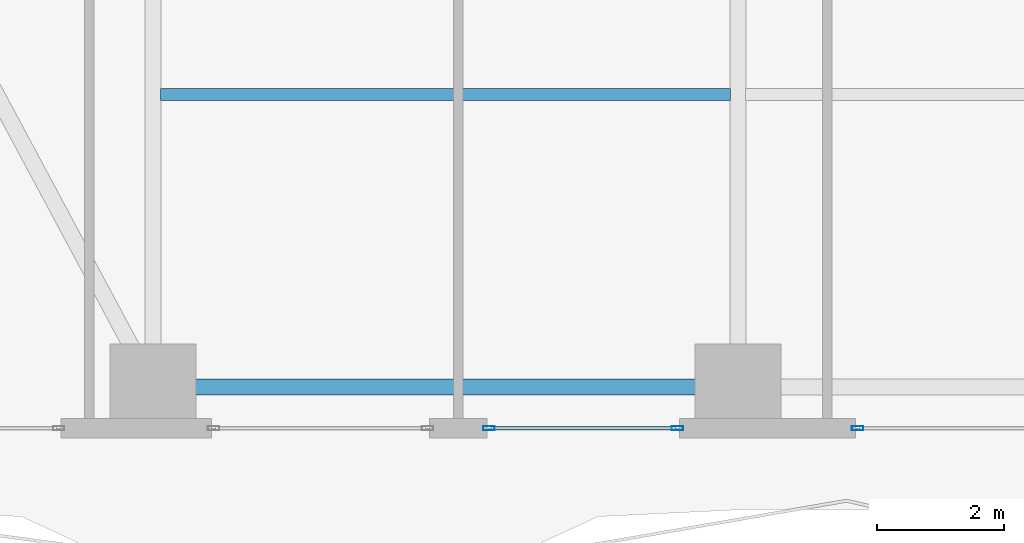
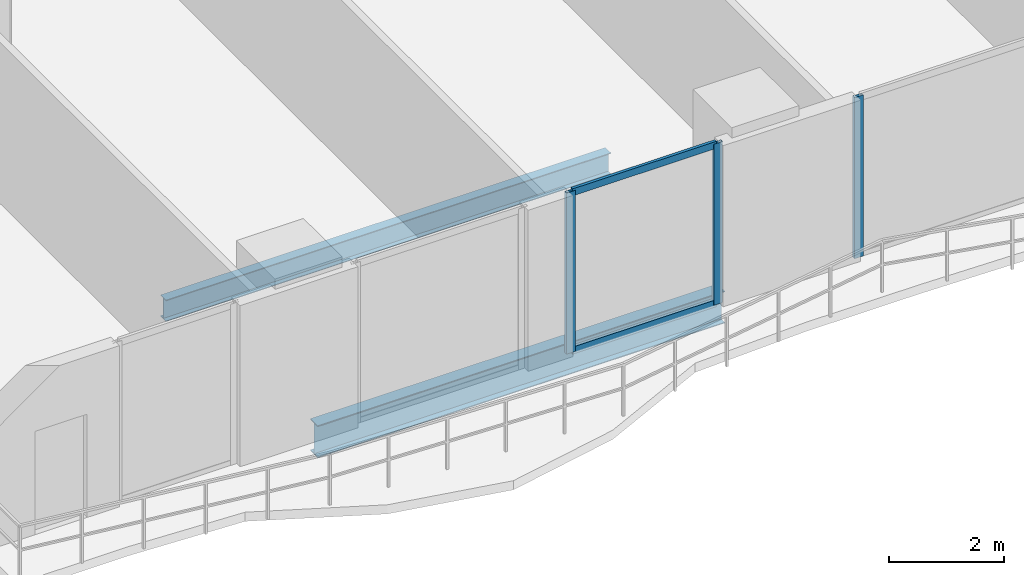
# One storey, part 4 of 29: 5 members, 2 beams, 2 elements without a shape of their own.
"""IFC4 building model written with IfcOpenShell, lengths in metres."""

from ifc_helpers import new_model, si_unit, direction, frame, origin, origin_2d, place, context, subcontext, project, spatial, hollow_rectangle, i_section, extrude, material, layer, layer_set, material_profile, profile_set, type_object, element, aggregate, save


model = new_model("IFC4")

# Units and contexts
model_context = context("Model", 3, precision=1e-05, world=origin(), true_north=direction((0.0, 1.0)))
body_context = subcontext(model_context, "Body", "Model", "MODEL_VIEW")
ifc_project = project(units=[si_unit("LENGTHUNIT", "METRE"), si_unit("AREAUNIT", "SQUARE_METRE"), si_unit("VOLUMEUNIT", "CUBIC_METRE"), si_unit("PLANEANGLEUNIT", "RADIAN"), si_unit("MASSUNIT", "GRAM", prefix="KILO")], contexts=[model_context])

# Site, building, storey
site_placement = place(None, origin())
site = spatial("IfcSite", under=ifc_project, at=site_placement, CompositionType="ELEMENT")
building_placement = place(site_placement, origin())
building = spatial("IfcBuilding", under=site, at=building_placement, Name="Zuhayl Quay Hotel", CompositionType="ELEMENT")
storey_placement = place(building_placement, frame((0.0, 0.0, 150.39990234375)))
storey = spatial("IfcBuildingStorey", under=building, at=storey_placement, Name="L38", CompositionType="ELEMENT", Elevation=150.39990234375)

# Beams
ifc_material_1 = material(Name="Steel ASTM A992 Grade 50", Category="steel")
ifc_material_profile_1 = material_profile(ifc_material_1, i_section(OverallWidth=0.25390625, OverallDepth=0.68310546875, WebThickness=0.012451171875, FlangeThickness=0.018798828125, at=origin_2d()), Name="W27X94")
ifc_profile_set_1 = profile_set([ifc_material_profile_1], Name="Steel ASTM A992 Grade 50")
beam_type_1 = type_object("IfcBeamType", Name="BM_B2_W27X94", PredefinedType="BEAM", material=ifc_profile_set_1)
beam_1_placement = place(storey_placement, frame((-13.300048828125, -14.75, -0.5615234375), z_axis=(1.0, 0.0, 0.0), x_axis=(0.0, 1.0, 0.0)))
element("IfcBeam", 1, at=beam_1_placement, inside=storey, type_object=beam_type_1, Name="L38 Floor Beam RG_L38_01", PredefinedType="BEAM", context=body_context, shape_type="SweptSolid", body=[
    extrude(i_section(OverallWidth=0.25390625, OverallDepth=0.68310546875, WebThickness=0.012451171875, FlangeThickness=0.018798828125, at=origin_2d()), origin(), (0.0, 0.0, 1.0), 8.199951171875),
])
ifc_material_profile_2 = material_profile(ifc_material_1, i_section(OverallWidth=0.18994140625, OverallDepth=0.45703125, WebThickness=0.009033203125, FlangeThickness=0.014404296875, at=origin_2d()), Name="W18X50")
ifc_profile_set_2 = profile_set([ifc_material_profile_2], Name="Steel ASTM A992 Grade 50")
beam_type_2 = type_object("IfcBeamType", Name="BM_J2_W18X50", PredefinedType="JOIST", material=ifc_profile_set_2)
beam_2_placement = place(storey_placement, frame((-13.680908203125, -10.14990234375, -0.448486328125), z_axis=(1.0, 0.0, 0.0), x_axis=(0.0, 1.0, 0.0)))
element("IfcBeam", 2, at=beam_2_placement, inside=storey, type_object=beam_type_2, Name="L38 Floor Beam FJ_L38_5_1", PredefinedType="JOIST", context=body_context, shape_type="SweptSolid", body=[
    extrude(i_section(OverallWidth=0.18994140625, OverallDepth=0.45703125, WebThickness=0.009033203125, FlangeThickness=0.014404296875, at=origin_2d()), origin(), (0.0, 0.0, 1.0), 8.9619140625),
])

# Curtain wall, member
ifc_material_2 = material(Name="Anodised Aluminium 6063-T6", Category="aluminium")
ifc_layer = layer(ifc_material_2, 0.179931640625, Name="Anodised Aluminium 6063-T6", Category="aluminium")
ifc_layer_set = layer_set([ifc_layer], Name="Anodised Aluminium 6063-T6")
curtain_wall_type = type_object("IfcCurtainWallType", Name="CW_SYS_Z2", PredefinedType="USERDEFINED", material=ifc_layer_set)
curtain_wall_1_placement = place(storey_placement, origin())
curtain_wall_1 = element("IfcCurtainWall", 3, at=curtain_wall_1_placement, inside=storey, type_object=curtain_wall_type, Name="L38 Curtain Wall ENV_L38_S_CW4", ObjectType="UNITISED CURTAIN WALL", PredefinedType="USERDEFINED")
ifc_material_3 = material(Name="Black-anodised aluminium 6063-T6", Category="aluminium")
ifc_material_profile_3 = material_profile(ifc_material_3, hollow_rectangle(XDim=0.06494140625, YDim=0.179931640625, WallThickness=0.00341796875, at=origin_2d()), Name="ALU180X65")
ifc_profile_set_3 = profile_set([ifc_material_profile_3], Name="Black-anodised aluminium 6063-T6")
member_type_1 = type_object("IfcMemberType", Name="MB_CW_MUL_180", PredefinedType="MULLION", material=ifc_profile_set_3)
member_1_placement = place(storey_placement, frame((-2.717529296875, -15.39990234375, 0.0), z_axis=(0.0, 0.0, 1.0), x_axis=(0.0, -1.0, 0.0)))
member_1 = element("IfcMember", 4, at=member_1_placement, type_object=member_type_1, Name="CW-Z2 mullion 2", PredefinedType="MULLION", context=body_context, shape_type="SweptSolid", body=[
    extrude(hollow_rectangle(XDim=0.06494140625, YDim=0.179931640625, WallThickness=0.00341796875, at=origin_2d()), origin(), (0.0, 0.0, 1.0), 3.43017578125),
])
aggregate(curtain_wall_1, [member_1])

# Curtain wall, members
curtain_wall_2_placement = place(storey_placement, origin())
curtain_wall_2 = element("IfcCurtainWall", 5, at=curtain_wall_2_placement, inside=storey, type_object=curtain_wall_type, Name="L38 Curtain Wall ENV_L38_S_CW5", ObjectType="UNITISED CURTAIN WALL", PredefinedType="USERDEFINED")
member_2_placement = place(storey_placement, frame((-5.552490234375, -15.39990234375, 0.0), z_axis=(0.0, 0.0, 1.0), x_axis=(0.0, -1.0, 0.0)))
member_2 = element("IfcMember", 6, at=member_2_placement, type_object=member_type_1, Name="CW-Z2 mullion 1", PredefinedType="MULLION", context=body_context, shape_type="SweptSolid", body=[
    extrude(hollow_rectangle(XDim=0.06494140625, YDim=0.179931640625, WallThickness=0.00341796875, at=origin_2d()), origin(), (0.0, 0.0, 1.0), 3.43017578125),
])
member_3_placement = place(storey_placement, frame((-8.517578125, -15.39990234375, 0.0), z_axis=(0.0, 0.0, 1.0), x_axis=(0.0, -1.0, 0.0)))
member_3 = element("IfcMember", 7, at=member_3_placement, type_object=member_type_1, Name="CW-Z2 mullion 2", PredefinedType="MULLION", context=body_context, shape_type="SweptSolid", body=[
    extrude(hollow_rectangle(XDim=0.06494140625, YDim=0.179931640625, WallThickness=0.00341796875, at=origin_2d()), origin(), (0.0, 0.0, 1.0), 3.43017578125),
])
ifc_material_profile_4 = material_profile(ifc_material_3, hollow_rectangle(XDim=0.06005859375, YDim=0.14990234375, WallThickness=0.00341796875, at=origin_2d()), Name="ALU150X60")
ifc_profile_set_4 = profile_set([ifc_material_profile_4], Name="Black-anodised aluminium 6063-T6")
member_type_2 = type_object("IfcMemberType", Name="MB_CW_TRN_150", PredefinedType="USERDEFINED", material=ifc_profile_set_4)
member_4_placement = place(storey_placement, frame((-5.5849609375, -15.39990234375, 0.030029296875), z_axis=(-1.0, 0.0, 0.0), x_axis=(0.0, -1.0, 0.0)))
member_4 = element("IfcMember", 8, at=member_4_placement, type_object=member_type_2, Name="CW-Z2 transom 1.1", ObjectType="TRANSOM", PredefinedType="USERDEFINED", context=body_context, shape_type="SweptSolid", body=[
    extrude(hollow_rectangle(XDim=0.06005859375, YDim=0.14990234375, WallThickness=0.00341796875, at=origin_2d()), origin(), (0.0, 0.0, 1.0), 2.900146484375),
])
member_5_placement = place(storey_placement, frame((-5.5849609375, -15.39990234375, 3.400146484375), z_axis=(-1.0, 0.0, 0.0), x_axis=(0.0, -1.0, 0.0)))
member_5 = element("IfcMember", 9, at=member_5_placement, type_object=member_type_2, Name="CW-Z2 transom 1.2", ObjectType="TRANSOM", PredefinedType="USERDEFINED", context=body_context, shape_type="SweptSolid", body=[
    extrude(hollow_rectangle(XDim=0.06005859375, YDim=0.14990234375, WallThickness=0.00341796875, at=origin_2d()), origin(), (0.0, 0.0, 1.0), 2.900146484375),
])
aggregate(curtain_wall_2, [member_2, member_3, member_4, member_5])

save(model, "model.ifc")
